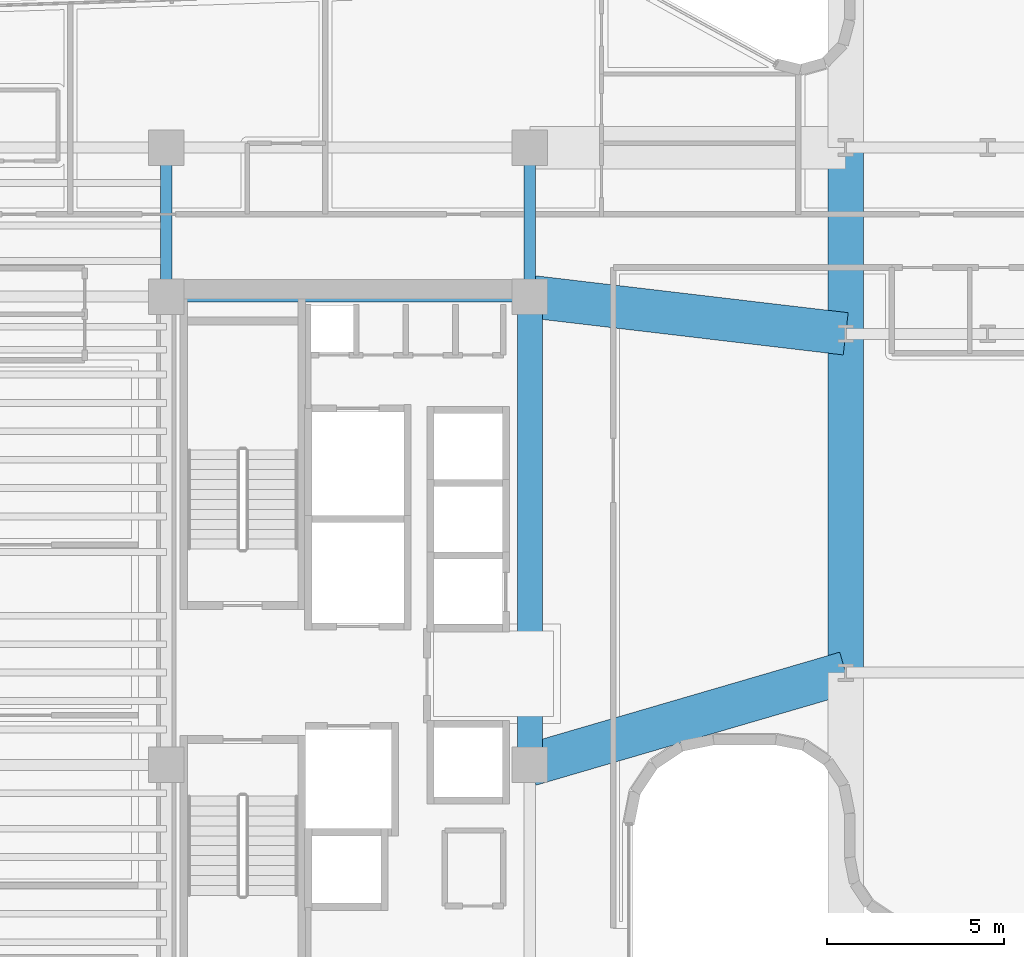
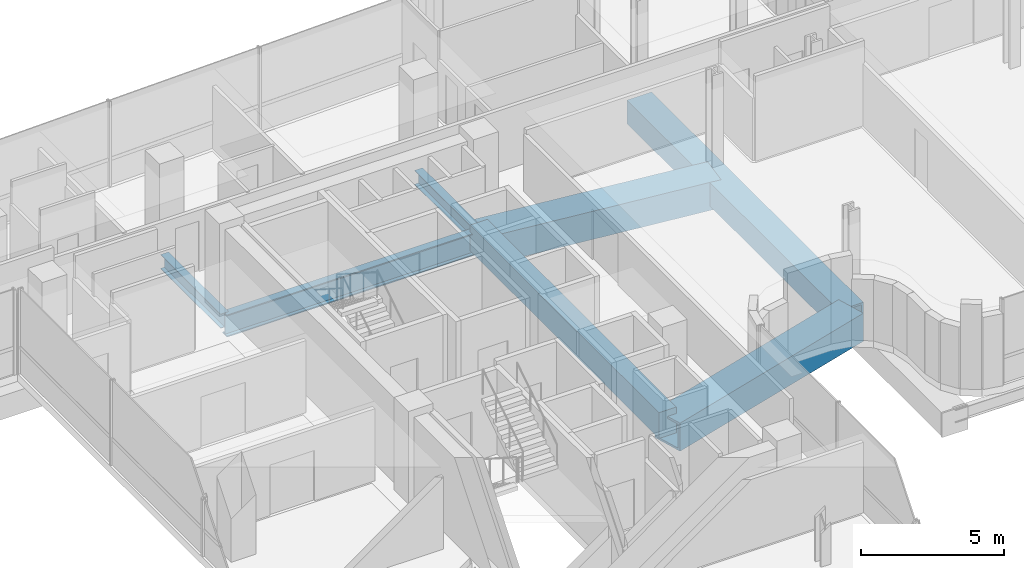
# One storey, part 9 of 39: 7 beams.
"""IFC4 building model written with IfcOpenShell, lengths in metres."""

from ifc_helpers import new_model, si_unit, direction, frame, origin, origin_2d, place, context, subcontext, project, spatial, rectangle, hollow_rectangle, i_section, extrude, source, transform, mapped, material, material_profile, profile_set, type_object, element, save


model = new_model("IFC4")

# Units and contexts
model_context = context("Model", 3, precision=1e-05, world=origin(), true_north=direction((0.0, 1.0)))
body_context = subcontext(model_context, "Body", "Model", "MODEL_VIEW")
ifc_project = project(units=[si_unit("LENGTHUNIT", "METRE"), si_unit("AREAUNIT", "SQUARE_METRE"), si_unit("VOLUMEUNIT", "CUBIC_METRE"), si_unit("PLANEANGLEUNIT", "RADIAN"), si_unit("MASSUNIT", "GRAM", prefix="KILO")], contexts=[model_context])

# Site, building, storey
site_placement = place(None, origin())
site = spatial("IfcSite", under=ifc_project, at=site_placement, CompositionType="ELEMENT")
building_placement = place(site_placement, origin())
building = spatial("IfcBuilding", under=site, at=building_placement, Name="Valdorenza Pilgrim Sanctuary Tower", CompositionType="ELEMENT")
storey_placement = place(building_placement, frame((0.0, 0.0, 184.449951171875)))
storey = spatial("IfcBuildingStorey", under=building, at=storey_placement, Name="L47", CompositionType="ELEMENT", Elevation=184.449951171875)

# Beams
ifc_material_1 = material(Name="Concrete C50/60", Category="concrete")
ifc_material_profile_1 = material_profile(ifc_material_1, rectangle(XDim=0.699951171875, YDim=1.10009765625, at=origin_2d()), Name="RC 1100x700")
ifc_profile_set_1 = profile_set([ifc_material_profile_1], Name="Concrete C50/60")
beam_type_1 = type_object("IfcBeamType", Name="STR-BM-LNT-1100", PredefinedType="LINTEL", material=ifc_profile_set_1)
shared_shape_1 = source(origin(), body_context, "Body", "SweptSolid", [
    extrude(rectangle(XDim=0.699951171875, YDim=1.10009765625, at=origin_2d()), origin(), (0.0, 0.0, 1.0), 13.2001953125),
])
beam_1_placement = place(storey_placement, frame((-12.39990234375, -2.60009765625, -0.58984375), z_axis=(0.0, 1.0, 0.0), x_axis=(-1.0, 0.0, 0.0)))
element("IfcBeam", 1, at=beam_1_placement, inside=storey, type_object=beam_type_1, Name="L47 Core A Coupling Lintel Girder", PredefinedType="LINTEL", context=body_context, shape_type="MappedRepresentation", body=[
    mapped(shared_shape_1, transform((0.0, 0.0, 0.0), x_axis=(1.0, 0.0, 0.0), y_axis=(0.0, 1.0, 0.0), z_axis=(0.0, 0.0, 1.0), scale=1.0)),
])
ifc_material_2 = material(Name="Steel ASTM A992 Grade 50", Category="steel")
ifc_material_profile_2 = material_profile(ifc_material_2, i_section(OverallWidth=0.323974609375, OverallDepth=0.611083984375, WebThickness=0.0126953125, FlangeThickness=0.01904296875, at=origin_2d()), Name="W24X104")
ifc_profile_set_2 = profile_set([ifc_material_profile_2], Name="Steel ASTM A992 Grade 50")
beam_type_2 = type_object("IfcBeamType", Name="STR-BM-GRD-W24B", PredefinedType="BEAM", material=ifc_profile_set_2)
shared_shape_2 = source(origin(), body_context, "Body", "SweptSolid", [
    extrude(i_section(OverallWidth=0.323974609375, OverallDepth=0.611083984375, WebThickness=0.0126953125, FlangeThickness=0.01904296875, at=origin_2d()), origin(), (0.0, 0.0, 1.0), 4.199951171875),
])
for number, where, z_axis, x_axis, name in (
    (2, (-22.64990234375, 10.60009765625, -0.62548828125), (0.0, 1.0, 0.0), (-1.0, 0.0, 0.0), "L47 Core Tie Girder CA-W-N1N2"),
    (3, (-12.39990234375, 10.60009765625, -0.62548828125), (0.0, 1.0, 0.0), (-1.0, 0.0, 0.0), "L47 Core Tie Girder CA-E-N1N2"),
):
    element("IfcBeam", number, at=place(storey_placement, frame(where, z_axis=z_axis, x_axis=x_axis)), inside=storey, type_object=beam_type_2, Name=name, PredefinedType="BEAM", context=body_context, shape_type="MappedRepresentation", body=[
        mapped(shared_shape_2, transform((0.0, 0.0, 0.0), x_axis=(1.0, 0.0, 0.0), y_axis=(0.0, 1.0, 0.0), z_axis=(0.0, 0.0, 1.0), scale=1.0)),
    ])
ifc_material_profile_3 = material_profile(ifc_material_2, i_section(OverallWidth=0.31005859375, OverallDepth=0.949951171875, WebThickness=0.0244140625, FlangeThickness=0.0439453125, at=origin_2d()), Name="W36X256")
ifc_profile_set_3 = profile_set([ifc_material_profile_3], Name="Steel ASTM A992 Grade 50")
beam_type_3 = type_object("IfcBeamType", Name="STR-BM-GRD-W36B", PredefinedType="BEAM", material=ifc_profile_set_3)
shared_shape_3 = source(origin(), body_context, "Body", "SweptSolid", [
    extrude(i_section(OverallWidth=0.31005859375, OverallDepth=0.949951171875, WebThickness=0.0244140625, FlangeThickness=0.0439453125, at=origin_2d()), origin(), (0.0, 0.0, 1.0), 10.25),
])
beam_2_placement = place(storey_placement, frame((-22.64990234375, 10.60009765625, -0.794921875), z_axis=(1.0, 0.0, 0.0), x_axis=(0.0, 1.0, 0.0)))
element("IfcBeam", 4, at=beam_2_placement, inside=storey, type_object=beam_type_3, Name="L47 Floor Girder CA-XC-N1", PredefinedType="BEAM", context=body_context, shape_type="MappedRepresentation", body=[
    mapped(shared_shape_3, transform((0.0, 0.0, 0.0), x_axis=(1.0, 0.0, 0.0), y_axis=(0.0, 1.0, 0.0), z_axis=(0.0, 0.0, 1.0), scale=1.0)),
])
ifc_material_3 = material(Name="Steel ASTM A572 Grade 42", Category="steel")
ifc_material_profile_4 = material_profile(ifc_material_3, hollow_rectangle(XDim=1.199951171875, YDim=1.199951171875, WallThickness=0.090087890625, at=origin_2d()), Name="BOX 1200x1200x90")
ifc_profile_set_4 = profile_set([ifc_material_profile_4], Name="Steel ASTM A572 Grade 42")
beam_type_4 = type_object("IfcBeamType", Name="STR-BM-TRF-1200", PredefinedType="BEAM", material=ifc_profile_set_4)
shared_shape_4 = source(origin(), body_context, "Body", "SweptSolid", [
    extrude(hollow_rectangle(XDim=1.199951171875, YDim=1.199951171875, WallThickness=0.090087890625, at=origin_2d()), origin(), (0.0, 0.0, 1.0), 9.27197265625),
])
beam_3_placement = place(storey_placement, frame((-12.39990234375, -2.60009765625, -0.919921875), z_axis=(0.959875453664, 0.280426663234, 0.0), x_axis=(-0.280426663234, 0.959875453664, 0.0)))
element("IfcBeam", 5, at=beam_3_placement, inside=storey, type_object=beam_type_4, Name="L47 Portal Bridge Transfer Girder PRY-G1-P0", PredefinedType="BEAM", context=body_context, shape_type="MappedRepresentation", body=[
    mapped(shared_shape_4, transform((0.0, 0.0, 0.0), x_axis=(1.0, 0.0, 0.0), y_axis=(0.0, 1.0, 0.0), z_axis=(0.0, 0.0, 1.0), scale=1.0)),
])
shared_shape_5 = source(origin(), body_context, "Body", "SweptSolid", [
    extrude(hollow_rectangle(XDim=1.199951171875, YDim=1.199951171875, WallThickness=0.090087890625, at=origin_2d()), origin(), (0.0, 0.0, 1.0), 8.961669921875),
])
beam_4_placement = place(storey_placement, frame((-12.39990234375, 10.60009765625, -0.919921875), z_axis=(0.993111684121, -0.117171595803, 0.0), x_axis=(0.117171595803, 0.993111684121, 0.0)))
element("IfcBeam", 6, at=beam_4_placement, inside=storey, type_object=beam_type_4, Name="L47 Portal Bridge Transfer Girder PRY-G1-P9", PredefinedType="BEAM", context=body_context, shape_type="MappedRepresentation", body=[
    mapped(shared_shape_5, transform((0.0, 0.0, 0.0), x_axis=(1.0, 0.0, 0.0), y_axis=(0.0, 1.0, 0.0), z_axis=(0.0, 0.0, 1.0), scale=1.0)),
])
ifc_material_profile_5 = material_profile(ifc_material_3, hollow_rectangle(XDim=1.0, YDim=1.0, WallThickness=0.080078125, at=origin_2d()), Name="BOX 1000x1000x80")
ifc_profile_set_5 = profile_set([ifc_material_profile_5], Name="Steel ASTM A572 Grade 42")
beam_type_5 = type_object("IfcBeamType", Name="STR-BM-PROW-CANT", PredefinedType="BEAM", material=ifc_profile_set_5)
shared_shape_6 = source(origin(), body_context, "Body", "SweptSolid", [
    extrude(hollow_rectangle(XDim=1.0, YDim=1.0, WallThickness=0.080078125, at=origin_2d()), origin(), (0.0, 0.0, 1.0), 14.800048828125),
])
beam_5_placement = place(storey_placement, frame((-3.5, 0.0, -0.820068359375), z_axis=(0.0, 1.0, 0.0), x_axis=(-1.0, 0.0, 0.0)))
element("IfcBeam", 7, at=beam_5_placement, inside=storey, type_object=beam_type_5, Name="L47 Sanctuary Backspan Girder PROW-BACK-N-W", PredefinedType="BEAM", context=body_context, shape_type="MappedRepresentation", body=[
    mapped(shared_shape_6, transform((0.0, 0.0, 0.0), x_axis=(1.0, 0.0, 0.0), y_axis=(0.0, 1.0, 0.0), z_axis=(0.0, 0.0, 1.0), scale=1.0)),
])

save(model, "model.ifc")
